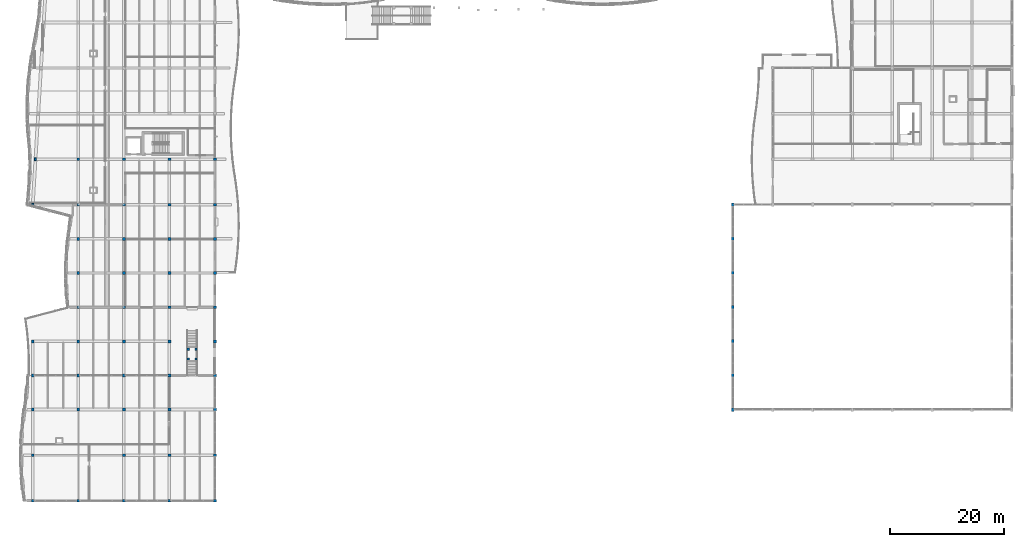
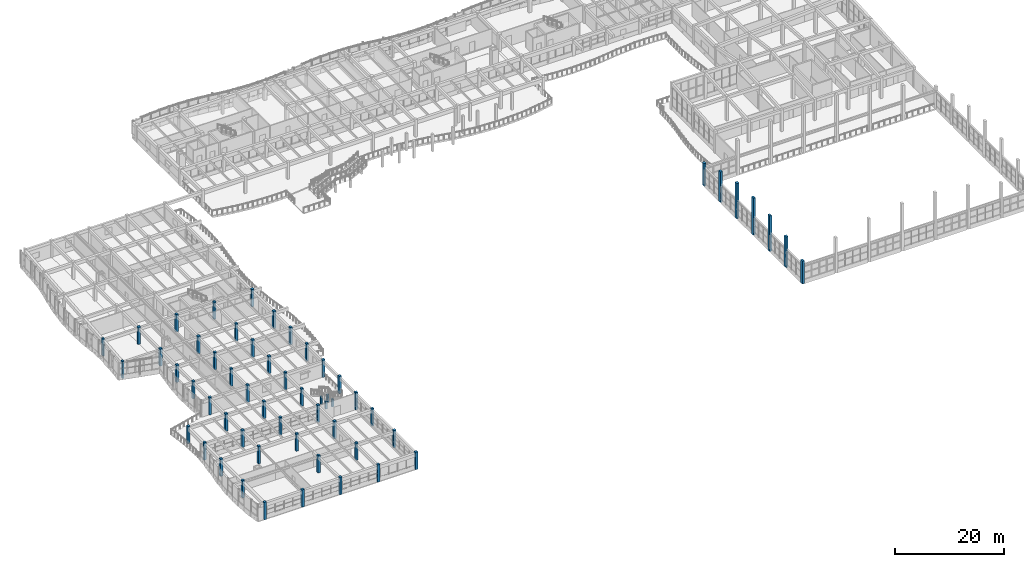
# One storey, part 1 of 89: 57 columns.
"""IFC4 building model written with IfcOpenShell, lengths in metres."""

from ifc_helpers import new_model, si_unit, direction, frame, origin, origin_2d, place, context, subcontext, project, spatial, rectangle, extrude, material, material_profile, profile_set, type_object, element, save


model = new_model("IFC4")

# Units and contexts
model_context = context("Model", 3, precision=1e-05, world=origin(), true_north=direction((0.0, 1.0)))
body_context = subcontext(model_context, "Body", "Model", "MODEL_VIEW")
ifc_project = project(units=[si_unit("LENGTHUNIT", "METRE"), si_unit("AREAUNIT", "SQUARE_METRE"), si_unit("VOLUMEUNIT", "CUBIC_METRE"), si_unit("PLANEANGLEUNIT", "RADIAN"), si_unit("MASSUNIT", "GRAM", prefix="KILO")], contexts=[model_context])

# Site, building, storey
site_placement = place(None, origin())
site = spatial("IfcSite", under=ifc_project, at=site_placement, CompositionType="ELEMENT")
building_placement = place(site_placement, origin())
building = spatial("IfcBuilding", under=site, at=building_placement, Name="Tonlespit Floodbar School", CompositionType="ELEMENT")
storey_placement = place(building_placement, frame((0.0, 0.0, 4.5)))
storey = spatial("IfcBuildingStorey", under=building, at=storey_placement, Name="L01", CompositionType="ELEMENT", Elevation=4.5)

# Columns
ifc_material = material(Name="Concrete C40/50", Category="concrete")
ifc_material_profile_1 = material_profile(ifc_material, rectangle(XDim=0.39990234375, YDim=0.39990234375, at=origin_2d()), Name="RC 400x400")
ifc_profile_set_1 = profile_set([ifc_material_profile_1], Name="Concrete C40/50")
column_type_1 = type_object("IfcColumnType", Name="Column_RC_400x400", PredefinedType="COLUMN", material=ifc_profile_set_1)
for number, where, z_axis, x_axis, name in (
    (1, (31.320068359375, 30.60009765625, 0.0), (0.0, 0.0, 1.0), (1.0, 0.0, 0.0), "L01 stair ST-D2 landing column 1"),
    (2, (31.320068359375, 28.89990234375, 0.0), (0.0, 0.0, 1.0), (1.0, 0.0, 0.0), "L01 stair ST-D2 landing column 2"),
    (3, (32.679931640625, 28.89990234375, 0.0), (0.0, 0.0, 1.0), (1.0, 0.0, 0.0), "L01 stair ST-D2 landing column 3"),
    (4, (32.679931640625, 30.60009765625, 0.0), (0.0, 0.0, 1.0), (1.0, 0.0, 0.0), "L01 stair ST-D2 landing column 4"),
):
    element("IfcColumn", number, at=place(storey_placement, frame(where, z_axis=z_axis, x_axis=x_axis)), inside=storey, type_object=column_type_1, Name=name, PredefinedType="COLUMN", context=body_context, shape_type="SweptSolid", body=[
        extrude(rectangle(XDim=0.39990234375, YDim=0.39990234375, at=origin_2d()), origin(), (0.0, 0.0, 1.0), 1.75),
    ])
ifc_material_profile_2 = material_profile(ifc_material, rectangle(XDim=0.449951171875, YDim=0.64990234375, at=origin_2d()), Name="RC 450x650")
ifc_profile_set_2 = profile_set([ifc_material_profile_2], Name="Concrete C40/50")
column_type_2 = type_object("IfcColumnType", Name="Column_RC_450x650", PredefinedType="COLUMN", material=ifc_profile_set_2)
column_1_placement = place(storey_placement, frame((127.0, 20.0, 0.0), z_axis=(0.0, 0.0, 1.0), x_axis=(1.0, 0.0, 0.0)))
element("IfcColumn", 5, at=column_1_placement, inside=storey, type_object=column_type_2, Name="L01 column U15/V03", PredefinedType="COLUMN", context=body_context, shape_type="SweptSolid", body=[
    extrude(rectangle(XDim=0.449951171875, YDim=0.64990234375, at=origin_2d()), origin(), (0.0, 0.0, 1.0), 5.10009765625),
])
column_2_placement = place(storey_placement, frame((127.0, 26.0, 0.0), z_axis=(0.0, 0.0, 1.0), x_axis=(1.0, 0.0, 0.0)))
element("IfcColumn", 6, at=column_2_placement, inside=storey, type_object=column_type_2, Name="L01 column U15/V04", PredefinedType="COLUMN", context=body_context, shape_type="SweptSolid", body=[
    extrude(rectangle(XDim=0.449951171875, YDim=0.64990234375, at=origin_2d()), origin(), (0.0, 0.0, 1.0), 6.877685546875),
])
column_3_placement = place(storey_placement, frame((127.0, 32.0, 0.0), z_axis=(0.0, 0.0, 1.0), x_axis=(1.0, 0.0, 0.0)))
element("IfcColumn", 7, at=column_3_placement, inside=storey, type_object=column_type_2, Name="L01 column U15/V05", PredefinedType="COLUMN", context=body_context, shape_type="SweptSolid", body=[
    extrude(rectangle(XDim=0.449951171875, YDim=0.64990234375, at=origin_2d()), origin(), (0.0, 0.0, 1.0), 7.9443359375),
])
column_4_placement = place(storey_placement, frame((127.0, 38.0, 0.0), z_axis=(0.0, 0.0, 1.0), x_axis=(1.0, 0.0, 0.0)))
element("IfcColumn", 8, at=column_4_placement, inside=storey, type_object=column_type_2, Name="L01 column U15/V06", PredefinedType="COLUMN", context=body_context, shape_type="SweptSolid", body=[
    extrude(rectangle(XDim=0.449951171875, YDim=0.64990234375, at=origin_2d()), origin(), (0.0, 0.0, 1.0), 8.300048828125),
])
column_5_placement = place(storey_placement, frame((127.0, 44.0, 0.0), z_axis=(0.0, 0.0, 1.0), x_axis=(1.0, 0.0, 0.0)))
element("IfcColumn", 9, at=column_5_placement, inside=storey, type_object=column_type_2, Name="L01 column U15/V07", PredefinedType="COLUMN", context=body_context, shape_type="SweptSolid", body=[
    extrude(rectangle(XDim=0.449951171875, YDim=0.64990234375, at=origin_2d()), origin(), (0.0, 0.0, 1.0), 7.9443359375),
])
column_6_placement = place(storey_placement, frame((127.0, 50.0, 0.0), z_axis=(0.0, 0.0, 1.0), x_axis=(1.0, 0.0, 0.0)))
element("IfcColumn", 10, at=column_6_placement, inside=storey, type_object=column_type_2, Name="L01 column U15/V08", PredefinedType="COLUMN", context=body_context, shape_type="SweptSolid", body=[
    extrude(rectangle(XDim=0.449951171875, YDim=0.64990234375, at=origin_2d()), origin(), (0.0, 0.0, 1.0), 6.877685546875),
])
column_7_placement = place(storey_placement, frame((127.0, 56.0, 0.0), z_axis=(0.0, 0.0, 1.0), x_axis=(1.0, 0.0, 0.0)))
element("IfcColumn", 11, at=column_7_placement, inside=storey, type_object=column_type_2, Name="L01 column U15/V09", PredefinedType="COLUMN", context=body_context, shape_type="SweptSolid", body=[
    extrude(rectangle(XDim=0.449951171875, YDim=0.64990234375, at=origin_2d()), origin(), (0.0, 0.0, 1.0), 5.10009765625),
])
ifc_material_profile_3 = material_profile(ifc_material, rectangle(XDim=0.5, YDim=0.5, at=origin_2d()), Name="RC 500x500")
ifc_profile_set_3 = profile_set([ifc_material_profile_3], Name="Concrete C40/50")
column_type_3 = type_object("IfcColumnType", Name="Column_RC_500x500", PredefinedType="COLUMN", material=ifc_profile_set_3)
for number, where, z_axis, x_axis, name in (
    (12, (4.0, 4.0, 0.0), (0.0, 0.0, 1.0), (1.0, 0.0, 0.0), "L01 column U01/V01"),
    (13, (4.0, 12.0, 0.0), (0.0, 0.0, 1.0), (1.0, 0.0, 0.0), "L01 column U01/V02"),
    (14, (4.0, 20.0, 0.0), (0.0, 0.0, 1.0), (1.0, 0.0, 0.0), "L01 column U01/V03"),
    (15, (4.0, 26.0, 0.0), (0.0, 0.0, 1.0), (1.0, 0.0, 0.0), "L01 column U01/V04"),
    (16, (4.0, 32.0, 0.0), (0.0, 0.0, 1.0), (1.0, 0.0, 0.0), "L01 column U01/V05"),
    (17, (12.0, 4.0, 0.0), (0.0, 0.0, 1.0), (1.0, 0.0, 0.0), "L01 column U02/V01"),
    (18, (12.0, 20.0, 0.0), (0.0, 0.0, 1.0), (1.0, 0.0, 0.0), "L01 column U02/V03"),
    (19, (12.0, 26.0, 0.0), (0.0, 0.0, 1.0), (1.0, 0.0, 0.0), "L01 column U02/V04"),
    (20, (12.0, 32.0, 0.0), (0.0, 0.0, 1.0), (1.0, 0.0, 0.0), "L01 column U02/V05"),
    (21, (12.0, 38.0, 0.0), (0.0, 0.0, 1.0), (1.0, 0.0, 0.0), "L01 column U02/V06"),
    (22, (12.0, 44.0, 0.0), (0.0, 0.0, 1.0), (1.0, 0.0, 0.0), "L01 column U02/V07"),
    (23, (12.0, 50.0, 0.0), (0.0, 0.0, 1.0), (1.0, 0.0, 0.0), "L01 column U02/V08"),
    (24, (12.0, 56.0, 0.0), (0.0, 0.0, 1.0), (1.0, 0.0, 0.0), "L01 column U02/V09"),
    (25, (12.0, 64.0, 0.0), (0.0, 0.0, 1.0), (1.0, 0.0, 0.0), "L01 column U02/V10"),
    (26, (20.0, 4.0, 0.0), (0.0, 0.0, 1.0), (1.0, 0.0, 0.0), "L01 column U03/V01"),
    (27, (20.0, 12.0, 0.0), (0.0, 0.0, 1.0), (1.0, 0.0, 0.0), "L01 column U03/V02"),
    (28, (20.0, 20.0, 0.0), (0.0, 0.0, 1.0), (1.0, 0.0, 0.0), "L01 column U03/V03"),
    (29, (20.0, 26.0, 0.0), (0.0, 0.0, 1.0), (1.0, 0.0, 0.0), "L01 column U03/V04"),
    (30, (20.0, 32.0, 0.0), (0.0, 0.0, 1.0), (1.0, 0.0, 0.0), "L01 column U03/V05"),
    (31, (20.0, 38.0, 0.0), (0.0, 0.0, 1.0), (1.0, 0.0, 0.0), "L01 column U03/V06"),
    (32, (20.0, 44.0, 0.0), (0.0, 0.0, 1.0), (1.0, 0.0, 0.0), "L01 column U03/V07"),
    (33, (20.0, 50.0, 0.0), (0.0, 0.0, 1.0), (1.0, 0.0, 0.0), "L01 column U03/V08"),
    (34, (20.0, 56.0, 0.0), (0.0, 0.0, 1.0), (1.0, 0.0, 0.0), "L01 column U03/V09"),
    (35, (20.0, 64.0, 0.0), (0.0, 0.0, 1.0), (1.0, 0.0, 0.0), "L01 column U03/V10"),
    (36, (28.0, 4.0, 0.0), (0.0, 0.0, 1.0), (1.0, 0.0, 0.0), "L01 column U04/V01"),
    (37, (28.0, 12.0, 0.0), (0.0, 0.0, 1.0), (1.0, 0.0, 0.0), "L01 column U04/V02"),
    (38, (28.0, 20.0, 0.0), (0.0, 0.0, 1.0), (1.0, 0.0, 0.0), "L01 column U04/V03"),
    (39, (28.0, 26.0, 0.0), (0.0, 0.0, 1.0), (1.0, 0.0, 0.0), "L01 column U04/V04"),
    (40, (28.0, 32.0, 0.0), (0.0, 0.0, 1.0), (1.0, 0.0, 0.0), "L01 column U04/V05"),
    (41, (28.0, 38.0, 0.0), (0.0, 0.0, 1.0), (1.0, 0.0, 0.0), "L01 column U04/V06"),
    (42, (28.0, 44.0, 0.0), (0.0, 0.0, 1.0), (1.0, 0.0, 0.0), "L01 column U04/V07"),
    (43, (28.0, 50.0, 0.0), (0.0, 0.0, 1.0), (1.0, 0.0, 0.0), "L01 column U04/V08"),
    (44, (28.0, 56.0, 0.0), (0.0, 0.0, 1.0), (1.0, 0.0, 0.0), "L01 column U04/V09"),
    (45, (28.0, 64.0, 0.0), (0.0, 0.0, 1.0), (1.0, 0.0, 0.0), "L01 column U04/V10"),
    (46, (36.0, 4.0, 0.0), (0.0, 0.0, 1.0), (1.0, 0.0, 0.0), "L01 column U05/V01"),
    (47, (36.0, 12.0, 0.0), (0.0, 0.0, 1.0), (1.0, 0.0, 0.0), "L01 column U05/V02"),
    (48, (36.0, 20.0, 0.0), (0.0, 0.0, 1.0), (1.0, 0.0, 0.0), "L01 column U05/V03"),
    (49, (36.0, 26.0, 0.0), (0.0, 0.0, 1.0), (1.0, 0.0, 0.0), "L01 column U05/V04"),
    (50, (36.0, 32.0, 0.0), (0.0, 0.0, 1.0), (1.0, 0.0, 0.0), "L01 column U05/V05"),
    (51, (36.0, 38.0, 0.0), (0.0, 0.0, 1.0), (1.0, 0.0, 0.0), "L01 column U05/V06"),
    (52, (36.0, 44.0, 0.0), (0.0, 0.0, 1.0), (1.0, 0.0, 0.0), "L01 column U05/V07"),
    (53, (36.0, 50.0, 0.0), (0.0, 0.0, 1.0), (1.0, 0.0, 0.0), "L01 column U05/V08"),
    (54, (36.0, 56.0, 0.0), (0.0, 0.0, 1.0), (1.0, 0.0, 0.0), "L01 column U05/V09"),
    (55, (36.0, 64.0, 0.0), (0.0, 0.0, 1.0), (1.0, 0.0, 0.0), "L01 column U05/V10"),
):
    element("IfcColumn", number, at=place(storey_placement, frame(where, z_axis=z_axis, x_axis=x_axis)), inside=storey, type_object=column_type_3, Name=name, PredefinedType="COLUMN", context=body_context, shape_type="SweptSolid", body=[
        extrude(rectangle(XDim=0.5, YDim=0.5, at=origin_2d()), origin(), (0.0, 0.0, 1.0), 3.89990234375),
    ])
ifc_material_profile_4 = material_profile(ifc_material, rectangle(XDim=0.35009765625, YDim=0.5, at=origin_2d()), Name="RC 350x500")
ifc_profile_set_4 = profile_set([ifc_material_profile_4], Name="Concrete C40/50")
column_type_4 = type_object("IfcColumnType", Name="Pilaster_RC_350x500", PredefinedType="PILASTER", material=ifc_profile_set_4)
for number, where, z_axis, x_axis, name in (
    (56, (4.0, 56.0, 0.0), (0.0, 0.0, 1.0), (1.0, 0.0, 0.0), "L01 column U01S/V09"),
    (57, (4.47998046875, 64.0, 0.0), (0.0, 0.0, 1.0), (1.0, 0.0, 0.0), "L01 column U01S/V10"),
):
    element("IfcColumn", number, at=place(storey_placement, frame(where, z_axis=z_axis, x_axis=x_axis)), inside=storey, type_object=column_type_4, Name=name, PredefinedType="PILASTER", context=body_context, shape_type="SweptSolid", body=[
        extrude(rectangle(XDim=0.35009765625, YDim=0.5, at=origin_2d()), origin(), (0.0, 0.0, 1.0), 3.89990234375),
    ])

save(model, "model.ifc")
